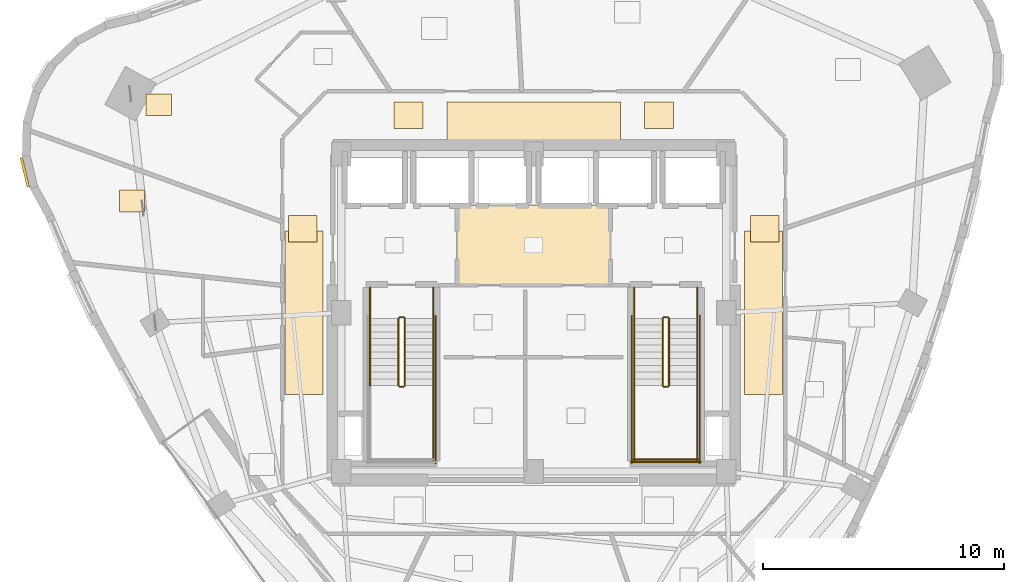
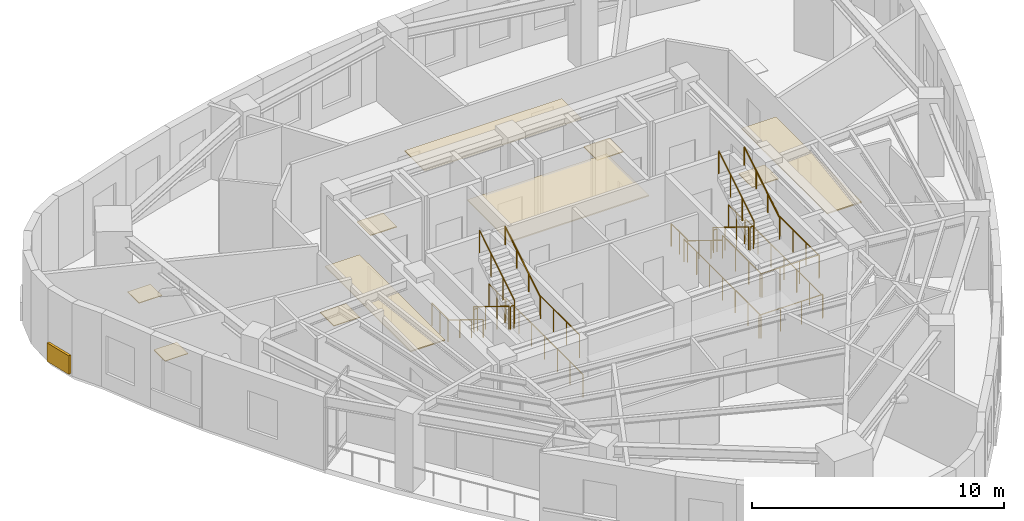
# One storey, part 12 of 13: 24 railings, 11 coverings.
"""IFC4 building model written with IfcOpenShell, lengths in metres."""

from ifc_helpers import new_model, si_unit, direction, frame, origin, origin_2d, place, context, subcontext, project, spatial, rectangle, circle, extrude, material, layer, layer_set, type_object, element, save


model = new_model("IFC4")

# Units and contexts
model_context = context("Model", 3, precision=1e-05, world=origin(), true_north=direction((0.0, 1.0)))
body_context = subcontext(model_context, "Body", "Model", "MODEL_VIEW")
ifc_project = project(units=[si_unit("LENGTHUNIT", "METRE"), si_unit("AREAUNIT", "SQUARE_METRE"), si_unit("VOLUMEUNIT", "CUBIC_METRE"), si_unit("PLANEANGLEUNIT", "RADIAN"), si_unit("MASSUNIT", "GRAM", prefix="KILO")], contexts=[model_context])

# Site, building, storey
site_placement = place(None, origin())
site = spatial("IfcSite", under=ifc_project, at=site_placement, CompositionType="ELEMENT")
building_placement = place(site_placement, origin())
building = spatial("IfcBuilding", under=site, at=building_placement, Name="Ndelora Gate Hotel", CompositionType="ELEMENT")
storey_placement = place(building_placement, frame((0.0, 0.0, 235.949951171875)))
storey = spatial("IfcBuildingStorey", under=building, at=storey_placement, Name="L59", CompositionType="ELEMENT", Elevation=235.949951171875)

# Coverings
ifc_material_1 = material(Name="Perforated Acoustic Gypsum Board", Category="gypsum")
ifc_layer_1 = layer(ifc_material_1, 0.054931640625)
ifc_layer_set_1 = layer_set([ifc_layer_1], Name="Perforated Acoustic Gypsum Board")
covering_type_1 = type_object("IfcCoveringType", Name="COV-CEIL-AC60", PredefinedType="CEILING", material=ifc_layer_set_1)
covering_1_placement = place(storey_placement, frame((0.0, 2.800048828125, 2.72265625), z_axis=(0.0, 0.0, 1.0), x_axis=(1.0, 0.0, 0.0)))
element("IfcCovering", 1, at=covering_1_placement, inside=storey, type_object=covering_type_1, Name="L59 Lift Lobby Acoustic Ceiling", PredefinedType="CEILING", context=body_context, shape_type="SweptSolid", body=[
    extrude(rectangle(XDim=6.39990234375, YDim=3.340087890625, at=origin_2d()), origin(), (0.0, 0.0, 1.0), 0.054931640625),
])
covering_2_placement = place(storey_placement, frame((0.0, 7.9599609375, 2.65234375), z_axis=(0.0, 0.0, 1.0), x_axis=(1.0, 0.0, 0.0)))
element("IfcCovering", 2, at=covering_2_placement, inside=storey, type_object=covering_type_1, Name="L59 Guest Corridor Acoustic Ceiling N", PredefinedType="CEILING", context=body_context, shape_type="SweptSolid", body=[
    extrude(rectangle(XDim=7.199951171875, YDim=1.580078125, at=origin_2d()), origin(), (0.0, 0.0, 1.0), 0.054931640625),
])
for number, where, z_axis, x_axis, name in (
    (3, (-9.550048828125, 0.0, 2.65234375), (0.0, 0.0, 1.0), (1.0, 0.0, 0.0), "L59 Guest Corridor Acoustic Ceiling W"),
    (4, (9.550048828125, 0.0, 2.65234375), (0.0, 0.0, 1.0), (1.0, 0.0, 0.0), "L59 Guest Corridor Acoustic Ceiling E"),
):
    element("IfcCovering", number, at=place(storey_placement, frame(where, z_axis=z_axis, x_axis=x_axis)), inside=storey, type_object=covering_type_1, Name=name, PredefinedType="CEILING", context=body_context, shape_type="SweptSolid", body=[
        extrude(rectangle(XDim=1.580078125, YDim=6.800048828125, at=origin_2d()), origin(), (0.0, 0.0, 1.0), 0.054931640625),
    ])
ifc_material_2 = material(Name="Terracotta Fired Clay Brick Slip Cladding", Category="masonry")
ifc_layer_2 = layer(ifc_material_2, 0.110107421875)
ifc_layer_set_2 = layer_set([ifc_layer_2], Name="Terracotta Fired Clay Brick Slip Cladding")
covering_type_2 = type_object("IfcCoveringType", Name="COV-CLAD-BRK", PredefinedType="CLADDING", material=ifc_layer_set_2)
covering_3_placement = place(storey_placement, frame((-21.147216796875, 5.834228515625, 0.10009765625), z_axis=(0.0, 0.0, 1.0), x_axis=(-0.233445363856, 0.972369920398, 0.0)))
element("IfcCovering", 5, at=covering_3_placement, inside=storey, type_object=covering_type_2, Name="L59 Rounded-Corner Brick Cladding Band 7", PredefinedType="CLADDING", context=body_context, shape_type="SweptSolid", body=[
    extrude(rectangle(XDim=1.258056640625, YDim=0.110107421875, at=origin_2d()), origin(), (0.0, 0.0, 1.0), 0.89990234375),
])
ifc_material_3 = material(Name="Engineered Highland Oak Parquet", Category="wood")
ifc_layer_3 = layer(ifc_material_3, 0.030029296875)
ifc_layer_set_3 = layer_set([ifc_layer_3], Name="Engineered Highland Oak Parquet")
covering_type_3 = type_object("IfcCoveringType", Name="COV-FLR-PARQ", PredefinedType="FLOORING", material=ifc_layer_set_3)
for number, where, z_axis, x_axis, name in (
    (6, (-15.585205078125, 8.64306640625, 0.0), (0.0, 0.0, 1.0), (1.0, 0.0, 0.0), "L59 Altitude King Junior Suite 6204 Oak Parquet Flooring"),
    (7, (-16.696533203125, 4.6455078125, 0.0), (0.0, 0.0, 1.0), (1.0, 0.0, 0.0), "L59 Housekeeping and Linen Room Oak Parquet Flooring"),
):
    element("IfcCovering", number, at=place(storey_placement, frame(where, z_axis=z_axis, x_axis=x_axis)), inside=storey, type_object=covering_type_3, Name=name, PredefinedType="FLOORING", context=body_context, shape_type="SweptSolid", body=[
        extrude(rectangle(XDim=1.050048828125, YDim=0.89990234375, at=origin_2d()), origin(), (0.0, 0.0, 1.0), 0.030029296875),
    ])
ifc_material_4 = material(Name="Polished Highland Stone Terrazzo", Category="masonry")
ifc_layer_4 = layer(ifc_material_4, 0.034912109375)
ifc_layer_set_4 = layer_set([ifc_layer_4], Name="Polished Highland Stone Terrazzo")
covering_type_4 = type_object("IfcCoveringType", Name="COV-FLR-TERZ", PredefinedType="FLOORING", material=ifc_layer_set_4)
for number, where, z_axis, x_axis, name in (
    (8, (-5.199951171875, 8.199951171875, 0.0), (0.0, 0.0, 1.0), (1.0, 0.0, 0.0), "L59 Corridor Threshold Terrazzo Inlay NW"),
    (9, (5.199951171875, 8.199951171875, 0.0), (0.0, 0.0, 1.0), (1.0, 0.0, 0.0), "L59 Corridor Threshold Terrazzo Inlay NE"),
    (10, (-9.60009765625, 3.5, 0.0), (0.0, 0.0, 1.0), (1.0, 0.0, 0.0), "L59 Corridor Threshold Terrazzo Inlay W"),
    (11, (9.60009765625, 3.5, 0.0), (0.0, 0.0, 1.0), (1.0, 0.0, 0.0), "L59 Corridor Threshold Terrazzo Inlay E"),
):
    element("IfcCovering", number, at=place(storey_placement, frame(where, z_axis=z_axis, x_axis=x_axis)), inside=storey, type_object=covering_type_4, Name=name, PredefinedType="FLOORING", context=body_context, shape_type="SweptSolid", body=[
        extrude(rectangle(XDim=1.199951171875, YDim=1.10009765625, at=origin_2d()), origin(), (0.0, 0.0, 1.0), 0.034912109375),
    ])

# Railings
ifc_material_5 = material(Name="Painted Galvanized Steel Balustrade", Category="steel")
ifc_layer_5 = layer(ifc_material_5, 0.06005859375)
ifc_layer_set_5 = layer_set([ifc_layer_5], Name="Painted Galvanized Steel Balustrade")
railing_type_1 = type_object("IfcRailingType", Name="RL-STAIR-GD", PredefinedType="GUARDRAIL", material=ifc_layer_set_5)
railing_1_placement = place(storey_placement, frame((-5.6201171875, -0.22998046875, 0.1728515625)))
element("IfcRailing", 12, at=railing_1_placement, inside=storey, type_object=railing_type_1, Name="L59 ST4 stair guard 1", PredefinedType="GUARDRAIL", context=body_context, shape_type="SweptSolid", body=[
    extrude(circle(Radius=0.02392578125, at=origin_2d()), frame((0.0, 0.0, 1.10595703125), z_axis=(0.0, -0.851089632645, 0.525020415988), x_axis=(1.0, 0.0, 0.0)), (0.0, 0.0, 1.0), 3.2900390625),
    extrude(circle(Radius=0.02099609375, at=origin_2d()), origin(), (0.0, 0.0, 1.0), 1.081787109375),
    extrude(circle(Radius=0.02099609375, at=origin_2d()), frame((0.0, -0.933349609375, 0.57568359375)), (0.0, 0.0, 1.0), 1.081787109375),
    extrude(circle(Radius=0.02099609375, at=origin_2d()), frame((0.0, -1.86669921875, 1.151611328125)), (0.0, 0.0, 1.0), 1.081787109375),
    extrude(circle(Radius=0.02099609375, at=origin_2d()), frame((0.0, -2.800048828125, 1.727294921875)), (0.0, 0.0, 1.0), 1.081787109375),
])
railing_2_placement = place(storey_placement, frame((-5.570068359375, -3.080078125, 1.900146484375)))
element("IfcRailing", 13, at=railing_2_placement, inside=storey, type_object=railing_type_1, Name="L59 ST4 stair guard 2", PredefinedType="GUARDRAIL", context=body_context, shape_type="SweptSolid", body=[
    extrude(circle(Radius=0.02392578125, at=origin_2d()), frame((0.0, 0.0, 1.10595703125), z_axis=(1.0, 0.0, 0.0), x_axis=(0.0, 1.0, 0.0)), (0.0, 0.0, 1.0), 0.16015625),
    extrude(circle(Radius=0.02099609375, at=origin_2d()), origin(), (0.0, 0.0, 1.0), 1.081787109375),
    extrude(circle(Radius=0.02099609375, at=origin_2d()), frame((0.16015625, 0.0, 0.0)), (0.0, 0.0, 1.0), 1.081787109375),
])
railing_3_placement = place(storey_placement, frame((-4.179931640625, -3.030029296875, 1.900146484375)))
element("IfcRailing", 14, at=railing_3_placement, inside=storey, type_object=railing_type_1, Name="L59 ST4 stair guard 4", PredefinedType="GUARDRAIL", context=body_context, shape_type="SweptSolid", body=[
    extrude(circle(Radius=0.02392578125, at=origin_2d()), frame((0.0, 0.0, 1.10595703125), z_axis=(0.0, -1.0, 0.0), x_axis=(1.0, 0.0, 0.0)), (0.0, 0.0, 1.0), 3.119873046875),
    extrude(circle(Radius=0.02099609375, at=origin_2d()), origin(), (0.0, 0.0, 1.0), 1.081787109375),
    extrude(circle(Radius=0.02099609375, at=origin_2d()), frame((0.0, -1.0400390625, 0.0)), (0.0, 0.0, 1.0), 1.081787109375),
    extrude(circle(Radius=0.02099609375, at=origin_2d()), frame((0.0, -2.079833984375, 0.0)), (0.0, 0.0, 1.0), 1.081787109375),
    extrude(circle(Radius=0.02099609375, at=origin_2d()), frame((0.0, -3.119873046875, 0.0)), (0.0, 0.0, 1.0), 1.081787109375),
])
railing_4_placement = place(storey_placement, frame((-5.360107421875, -3.030029296875, 2.07275390625)))
element("IfcRailing", 15, at=railing_4_placement, inside=storey, type_object=railing_type_1, Name="L59 ST4 stair guard 6", PredefinedType="GUARDRAIL", context=body_context, shape_type="SweptSolid", body=[
    extrude(circle(Radius=0.02392578125, at=origin_2d()), frame((0.0, 0.0, 1.10595703125), z_axis=(0.0, 0.851089632645, 0.525020415988), x_axis=(-1.0, 0.0, 0.0)), (0.0, 0.0, 1.0), 3.2900390625),
    extrude(circle(Radius=0.02099609375, at=origin_2d()), origin(), (0.0, 0.0, 1.0), 1.081787109375),
    extrude(circle(Radius=0.02099609375, at=origin_2d()), frame((0.0, 0.933349609375, 0.57568359375)), (0.0, 0.0, 1.0), 1.081787109375),
    extrude(circle(Radius=0.02099609375, at=origin_2d()), frame((0.0, 1.86669921875, 1.151611328125)), (0.0, 0.0, 1.0), 1.081787109375),
    extrude(circle(Radius=0.02099609375, at=origin_2d()), frame((0.0, 2.800048828125, 1.727294921875)), (0.0, 0.0, 1.0), 1.081787109375),
])
railing_5_placement = place(storey_placement, frame((-5.570068359375, -0.179931640625, 0.0)))
element("IfcRailing", 16, at=railing_5_placement, inside=storey, type_object=railing_type_1, Name="L59 ST4 stair guard 7", PredefinedType="GUARDRAIL", context=body_context, shape_type="SweptSolid", body=[
    extrude(circle(Radius=0.02392578125, at=origin_2d()), frame((0.0, 0.0, 1.10595703125), z_axis=(1.0, 0.0, 0.0), x_axis=(0.0, 1.0, 0.0)), (0.0, 0.0, 1.0), 0.16015625),
    extrude(circle(Radius=0.02099609375, at=origin_2d()), origin(), (0.0, 0.0, 1.0), 1.081787109375),
    extrude(circle(Radius=0.02099609375, at=origin_2d()), frame((0.16015625, 0.0, 0.0)), (0.0, 0.0, 1.0), 1.081787109375),
])
for number, where, name in (
    (17, (-6.800048828125, 1.050048828125, 0.0), "L59 ST4 stair guard 8"),
    (18, (-4.179931640625, 1.050048828125, 0.0), "L59 ST4 stair guard 9"),
):
    element("IfcRailing", number, at=place(storey_placement, frame(where)), inside=storey, type_object=railing_type_1, Name=name, PredefinedType="GUARDRAIL", context=body_context, shape_type="SweptSolid", body=[
        extrude(circle(Radius=0.02392578125, at=origin_2d()), frame((0.0, 0.0, 1.10595703125), z_axis=(0.0, -1.0, 0.0), x_axis=(1.0, 0.0, 0.0)), (0.0, 0.0, 1.0), 1.280029296875),
        extrude(circle(Radius=0.02099609375, at=origin_2d()), origin(), (0.0, 0.0, 1.0), 1.081787109375),
        extrude(circle(Radius=0.02099609375, at=origin_2d()), frame((0.0, -0.64013671875, 0.0)), (0.0, 0.0, 1.0), 1.081787109375),
        extrude(circle(Radius=0.02099609375, at=origin_2d()), frame((0.0, -1.280029296875, 0.0)), (0.0, 0.0, 1.0), 1.081787109375),
    ])
railing_6_placement = place(storey_placement, frame((-4.080078125, -0.1298828125, 0.0)))
element("IfcRailing", 19, at=railing_6_placement, inside=storey, type_object=railing_type_1, Name="L59 ST4 stair guard 11", PredefinedType="GUARDRAIL", context=body_context, shape_type="SweptSolid", body=[
    extrude(circle(Radius=0.02392578125, at=origin_2d()), frame((0.0, 0.0, 1.10595703125), z_axis=(0.0, -1.0, 0.0), x_axis=(1.0, 0.0, 0.0)), (0.0, 0.0, 1.0), 6.1201171875),
    extrude(circle(Radius=0.02099609375, at=origin_2d()), origin(), (0.0, 0.0, 1.0), 1.081787109375),
    extrude(circle(Radius=0.02099609375, at=origin_2d()), frame((0.0, -1.02001953125, 0.0)), (0.0, 0.0, 1.0), 1.081787109375),
    extrude(circle(Radius=0.02099609375, at=origin_2d()), frame((0.0, -2.0400390625, 0.0)), (0.0, 0.0, 1.0), 1.081787109375),
    extrude(circle(Radius=0.02099609375, at=origin_2d()), frame((0.0, -3.06005859375, 0.0)), (0.0, 0.0, 1.0), 1.081787109375),
    extrude(circle(Radius=0.02099609375, at=origin_2d()), frame((0.0, -4.080078125, 0.0)), (0.0, 0.0, 1.0), 1.081787109375),
    extrude(circle(Radius=0.02099609375, at=origin_2d()), frame((0.0, -5.10009765625, 0.0)), (0.0, 0.0, 1.0), 1.081787109375),
    extrude(circle(Radius=0.02099609375, at=origin_2d()), frame((0.0, -6.1201171875, 0.0)), (0.0, 0.0, 1.0), 1.081787109375),
])
railing_7_placement = place(storey_placement, frame((5.360107421875, -0.22998046875, 0.1728515625)))
element("IfcRailing", 20, at=railing_7_placement, inside=storey, type_object=railing_type_1, Name="L59 ST5 stair guard 1", PredefinedType="GUARDRAIL", context=body_context, shape_type="SweptSolid", body=[
    extrude(circle(Radius=0.02392578125, at=origin_2d()), frame((0.0, 0.0, 1.10595703125), z_axis=(0.0, -0.851089632645, 0.525020415988), x_axis=(1.0, 0.0, 0.0)), (0.0, 0.0, 1.0), 3.2900390625),
    extrude(circle(Radius=0.02099609375, at=origin_2d()), origin(), (0.0, 0.0, 1.0), 1.081787109375),
    extrude(circle(Radius=0.02099609375, at=origin_2d()), frame((0.0, -0.933349609375, 0.57568359375)), (0.0, 0.0, 1.0), 1.081787109375),
    extrude(circle(Radius=0.02099609375, at=origin_2d()), frame((0.0, -1.86669921875, 1.151611328125)), (0.0, 0.0, 1.0), 1.081787109375),
    extrude(circle(Radius=0.02099609375, at=origin_2d()), frame((0.0, -2.800048828125, 1.727294921875)), (0.0, 0.0, 1.0), 1.081787109375),
])
railing_8_placement = place(storey_placement, frame((5.409912109375, -3.080078125, 1.900146484375)))
element("IfcRailing", 21, at=railing_8_placement, inside=storey, type_object=railing_type_1, Name="L59 ST5 stair guard 2", PredefinedType="GUARDRAIL", context=body_context, shape_type="SweptSolid", body=[
    extrude(circle(Radius=0.02392578125, at=origin_2d()), frame((0.0, 0.0, 1.10595703125), z_axis=(1.0, 0.0, 0.0), x_axis=(0.0, 1.0, 0.0)), (0.0, 0.0, 1.0), 0.16015625),
    extrude(circle(Radius=0.02099609375, at=origin_2d()), origin(), (0.0, 0.0, 1.0), 1.081787109375),
    extrude(circle(Radius=0.02099609375, at=origin_2d()), frame((0.16015625, 0.0, 0.0)), (0.0, 0.0, 1.0), 1.081787109375),
])
for number, where, name in (
    (22, (4.179931640625, -3.030029296875, 1.900146484375), "L59 ST5 stair guard 3"),
    (23, (6.800048828125, -3.030029296875, 1.900146484375), "L59 ST5 stair guard 4"),
):
    element("IfcRailing", number, at=place(storey_placement, frame(where)), inside=storey, type_object=railing_type_1, Name=name, PredefinedType="GUARDRAIL", context=body_context, shape_type="SweptSolid", body=[
        extrude(circle(Radius=0.02392578125, at=origin_2d()), frame((0.0, 0.0, 1.10595703125), z_axis=(0.0, -1.0, 0.0), x_axis=(1.0, 0.0, 0.0)), (0.0, 0.0, 1.0), 3.119873046875),
        extrude(circle(Radius=0.02099609375, at=origin_2d()), origin(), (0.0, 0.0, 1.0), 1.081787109375),
        extrude(circle(Radius=0.02099609375, at=origin_2d()), frame((0.0, -1.0400390625, 0.0)), (0.0, 0.0, 1.0), 1.081787109375),
        extrude(circle(Radius=0.02099609375, at=origin_2d()), frame((0.0, -2.079833984375, 0.0)), (0.0, 0.0, 1.0), 1.081787109375),
        extrude(circle(Radius=0.02099609375, at=origin_2d()), frame((0.0, -3.119873046875, 0.0)), (0.0, 0.0, 1.0), 1.081787109375),
    ])
railing_9_placement = place(storey_placement, frame((4.1298828125, -6.10009765625, 1.900146484375)))
element("IfcRailing", 24, at=railing_9_placement, inside=storey, type_object=railing_type_1, Name="L59 ST5 stair guard 5", PredefinedType="GUARDRAIL", context=body_context, shape_type="SweptSolid", body=[
    extrude(circle(Radius=0.02392578125, at=origin_2d()), frame((0.0, 0.0, 1.10595703125), z_axis=(1.0, 0.0, 0.0), x_axis=(0.0, 1.0, 0.0)), (0.0, 0.0, 1.0), 2.72021484375),
    extrude(circle(Radius=0.02099609375, at=origin_2d()), origin(), (0.0, 0.0, 1.0), 1.081787109375),
    extrude(circle(Radius=0.02099609375, at=origin_2d()), frame((0.90673828125, 0.0, 0.0)), (0.0, 0.0, 1.0), 1.081787109375),
    extrude(circle(Radius=0.02099609375, at=origin_2d()), frame((1.8134765625, 0.0, 0.0)), (0.0, 0.0, 1.0), 1.081787109375),
    extrude(circle(Radius=0.02099609375, at=origin_2d()), frame((2.72021484375, 0.0, 0.0)), (0.0, 0.0, 1.0), 1.081787109375),
])
railing_10_placement = place(storey_placement, frame((5.6201171875, -3.030029296875, 2.07275390625)))
element("IfcRailing", 25, at=railing_10_placement, inside=storey, type_object=railing_type_1, Name="L59 ST5 stair guard 6", PredefinedType="GUARDRAIL", context=body_context, shape_type="SweptSolid", body=[
    extrude(circle(Radius=0.02392578125, at=origin_2d()), frame((0.0, 0.0, 1.10595703125), z_axis=(0.0, 0.851089632645, 0.525020415988), x_axis=(-1.0, 0.0, 0.0)), (0.0, 0.0, 1.0), 3.2900390625),
    extrude(circle(Radius=0.02099609375, at=origin_2d()), origin(), (0.0, 0.0, 1.0), 1.081787109375),
    extrude(circle(Radius=0.02099609375, at=origin_2d()), frame((0.0, 0.933349609375, 0.57568359375)), (0.0, 0.0, 1.0), 1.081787109375),
    extrude(circle(Radius=0.02099609375, at=origin_2d()), frame((0.0, 1.86669921875, 1.151611328125)), (0.0, 0.0, 1.0), 1.081787109375),
    extrude(circle(Radius=0.02099609375, at=origin_2d()), frame((0.0, 2.800048828125, 1.727294921875)), (0.0, 0.0, 1.0), 1.081787109375),
])
railing_11_placement = place(storey_placement, frame((5.409912109375, -0.179931640625, 0.0)))
element("IfcRailing", 26, at=railing_11_placement, inside=storey, type_object=railing_type_1, Name="L59 ST5 stair guard 7", PredefinedType="GUARDRAIL", context=body_context, shape_type="SweptSolid", body=[
    extrude(circle(Radius=0.02392578125, at=origin_2d()), frame((0.0, 0.0, 1.10595703125), z_axis=(1.0, 0.0, 0.0), x_axis=(0.0, 1.0, 0.0)), (0.0, 0.0, 1.0), 0.16015625),
    extrude(circle(Radius=0.02099609375, at=origin_2d()), origin(), (0.0, 0.0, 1.0), 1.081787109375),
    extrude(circle(Radius=0.02099609375, at=origin_2d()), frame((0.16015625, 0.0, 0.0)), (0.0, 0.0, 1.0), 1.081787109375),
])
for number, where, name in (
    (27, (4.179931640625, 1.050048828125, 0.0), "L59 ST5 stair guard 8"),
    (28, (6.800048828125, 1.050048828125, 0.0), "L59 ST5 stair guard 9"),
):
    element("IfcRailing", number, at=place(storey_placement, frame(where)), inside=storey, type_object=railing_type_1, Name=name, PredefinedType="GUARDRAIL", context=body_context, shape_type="SweptSolid", body=[
        extrude(circle(Radius=0.02392578125, at=origin_2d()), frame((0.0, 0.0, 1.10595703125), z_axis=(0.0, -1.0, 0.0), x_axis=(1.0, 0.0, 0.0)), (0.0, 0.0, 1.0), 1.280029296875),
        extrude(circle(Radius=0.02099609375, at=origin_2d()), origin(), (0.0, 0.0, 1.0), 1.081787109375),
        extrude(circle(Radius=0.02099609375, at=origin_2d()), frame((0.0, -0.64013671875, 0.0)), (0.0, 0.0, 1.0), 1.081787109375),
        extrude(circle(Radius=0.02099609375, at=origin_2d()), frame((0.0, -1.280029296875, 0.0)), (0.0, 0.0, 1.0), 1.081787109375),
    ])
for number, where, name in (
    (29, (4.080078125, -0.1298828125, 0.0), "L59 ST5 stair guard 10"),
    (30, (6.89990234375, -0.1298828125, 0.0), "L59 ST5 stair guard 11"),
):
    element("IfcRailing", number, at=place(storey_placement, frame(where)), inside=storey, type_object=railing_type_1, Name=name, PredefinedType="GUARDRAIL", context=body_context, shape_type="SweptSolid", body=[
        extrude(circle(Radius=0.02392578125, at=origin_2d()), frame((0.0, 0.0, 1.10595703125), z_axis=(0.0, -1.0, 0.0), x_axis=(1.0, 0.0, 0.0)), (0.0, 0.0, 1.0), 6.1201171875),
        extrude(circle(Radius=0.02099609375, at=origin_2d()), origin(), (0.0, 0.0, 1.0), 1.081787109375),
        extrude(circle(Radius=0.02099609375, at=origin_2d()), frame((0.0, -1.02001953125, 0.0)), (0.0, 0.0, 1.0), 1.081787109375),
        extrude(circle(Radius=0.02099609375, at=origin_2d()), frame((0.0, -2.0400390625, 0.0)), (0.0, 0.0, 1.0), 1.081787109375),
        extrude(circle(Radius=0.02099609375, at=origin_2d()), frame((0.0, -3.06005859375, 0.0)), (0.0, 0.0, 1.0), 1.081787109375),
        extrude(circle(Radius=0.02099609375, at=origin_2d()), frame((0.0, -4.080078125, 0.0)), (0.0, 0.0, 1.0), 1.081787109375),
        extrude(circle(Radius=0.02099609375, at=origin_2d()), frame((0.0, -5.10009765625, 0.0)), (0.0, 0.0, 1.0), 1.081787109375),
        extrude(circle(Radius=0.02099609375, at=origin_2d()), frame((0.0, -6.1201171875, 0.0)), (0.0, 0.0, 1.0), 1.081787109375),
    ])
railing_12_placement = place(storey_placement, frame((4.030029296875, -6.199951171875, 0.0)))
element("IfcRailing", 31, at=railing_12_placement, inside=storey, type_object=railing_type_1, Name="L59 ST5 stair guard 12", PredefinedType="GUARDRAIL", context=body_context, shape_type="SweptSolid", body=[
    extrude(circle(Radius=0.02392578125, at=origin_2d()), frame((0.0, 0.0, 1.10595703125), z_axis=(1.0, 0.0, 0.0), x_axis=(0.0, 1.0, 0.0)), (0.0, 0.0, 1.0), 2.919921875),
    extrude(circle(Radius=0.02099609375, at=origin_2d()), origin(), (0.0, 0.0, 1.0), 1.081787109375),
    extrude(circle(Radius=0.02099609375, at=origin_2d()), frame((0.973388671875, 0.0, 0.0)), (0.0, 0.0, 1.0), 1.081787109375),
    extrude(circle(Radius=0.02099609375, at=origin_2d()), frame((1.946533203125, 0.0, 0.0)), (0.0, 0.0, 1.0), 1.081787109375),
    extrude(circle(Radius=0.02099609375, at=origin_2d()), frame((2.919921875, 0.0, 0.0)), (0.0, 0.0, 1.0), 1.081787109375),
])
ifc_material_6 = material(Name="Brushed Stainless Steel 316", Category="steel")
ifc_layer_6 = layer(ifc_material_6, 0.050048828125)
ifc_layer_set_6 = layer_set([ifc_layer_6], Name="Brushed Stainless Steel 316")
railing_type_2 = type_object("IfcRailingType", Name="RL-STAIR-HR", PredefinedType="HANDRAIL", material=ifc_layer_set_6)
railing_13_placement = place(storey_placement, frame((-6.800048828125, -0.22998046875, 0.1728515625)))
element("IfcRailing", 32, at=railing_13_placement, inside=storey, type_object=railing_type_2, Name="L59 ST4 stair handrail 1", PredefinedType="HANDRAIL", context=body_context, shape_type="SweptSolid", body=[
    extrude(circle(Radius=0.02392578125, at=origin_2d()), frame((0.0, 0.0, 0.8759765625), z_axis=(0.0, -0.851089632645, 0.525020415988), x_axis=(1.0, 0.0, 0.0)), (0.0, 0.0, 1.0), 3.2900390625),
    extrude(circle(Radius=0.02099609375, at=origin_2d()), origin(), (0.0, 0.0, 1.0), 0.851806640625),
    extrude(circle(Radius=0.02099609375, at=origin_2d()), frame((0.0, -0.933349609375, 0.57568359375)), (0.0, 0.0, 1.0), 0.851806640625),
    extrude(circle(Radius=0.02099609375, at=origin_2d()), frame((0.0, -1.86669921875, 1.151611328125)), (0.0, 0.0, 1.0), 0.851806640625),
    extrude(circle(Radius=0.02099609375, at=origin_2d()), frame((0.0, -2.800048828125, 1.727294921875)), (0.0, 0.0, 1.0), 0.851806640625),
])
railing_14_placement = place(storey_placement, frame((-4.179931640625, -3.030029296875, 2.07275390625)))
element("IfcRailing", 33, at=railing_14_placement, inside=storey, type_object=railing_type_2, Name="L59 ST4 stair handrail 2", PredefinedType="HANDRAIL", context=body_context, shape_type="SweptSolid", body=[
    extrude(circle(Radius=0.02392578125, at=origin_2d()), frame((0.0, 0.0, 0.8759765625), z_axis=(0.0, 0.851089632645, 0.525020415988), x_axis=(-1.0, 0.0, 0.0)), (0.0, 0.0, 1.0), 3.2900390625),
    extrude(circle(Radius=0.02099609375, at=origin_2d()), origin(), (0.0, 0.0, 1.0), 0.851806640625),
    extrude(circle(Radius=0.02099609375, at=origin_2d()), frame((0.0, 0.933349609375, 0.57568359375)), (0.0, 0.0, 1.0), 0.851806640625),
    extrude(circle(Radius=0.02099609375, at=origin_2d()), frame((0.0, 1.86669921875, 1.151611328125)), (0.0, 0.0, 1.0), 0.851806640625),
    extrude(circle(Radius=0.02099609375, at=origin_2d()), frame((0.0, 2.800048828125, 1.727294921875)), (0.0, 0.0, 1.0), 0.851806640625),
])
railing_15_placement = place(storey_placement, frame((4.179931640625, -0.22998046875, 0.1728515625)))
element("IfcRailing", 34, at=railing_15_placement, inside=storey, type_object=railing_type_2, Name="L59 ST5 stair handrail 1", PredefinedType="HANDRAIL", context=body_context, shape_type="SweptSolid", body=[
    extrude(circle(Radius=0.02392578125, at=origin_2d()), frame((0.0, 0.0, 0.8759765625), z_axis=(0.0, -0.851089632645, 0.525020415988), x_axis=(1.0, 0.0, 0.0)), (0.0, 0.0, 1.0), 3.2900390625),
    extrude(circle(Radius=0.02099609375, at=origin_2d()), origin(), (0.0, 0.0, 1.0), 0.851806640625),
    extrude(circle(Radius=0.02099609375, at=origin_2d()), frame((0.0, -0.933349609375, 0.57568359375)), (0.0, 0.0, 1.0), 0.851806640625),
    extrude(circle(Radius=0.02099609375, at=origin_2d()), frame((0.0, -1.86669921875, 1.151611328125)), (0.0, 0.0, 1.0), 0.851806640625),
    extrude(circle(Radius=0.02099609375, at=origin_2d()), frame((0.0, -2.800048828125, 1.727294921875)), (0.0, 0.0, 1.0), 0.851806640625),
])
railing_16_placement = place(storey_placement, frame((6.800048828125, -3.030029296875, 2.07275390625)))
element("IfcRailing", 35, at=railing_16_placement, inside=storey, type_object=railing_type_2, Name="L59 ST5 stair handrail 2", PredefinedType="HANDRAIL", context=body_context, shape_type="SweptSolid", body=[
    extrude(circle(Radius=0.02392578125, at=origin_2d()), frame((0.0, 0.0, 0.8759765625), z_axis=(0.0, 0.851089632645, 0.525020415988), x_axis=(-1.0, 0.0, 0.0)), (0.0, 0.0, 1.0), 3.2900390625),
    extrude(circle(Radius=0.02099609375, at=origin_2d()), origin(), (0.0, 0.0, 1.0), 0.851806640625),
    extrude(circle(Radius=0.02099609375, at=origin_2d()), frame((0.0, 0.933349609375, 0.57568359375)), (0.0, 0.0, 1.0), 0.851806640625),
    extrude(circle(Radius=0.02099609375, at=origin_2d()), frame((0.0, 1.86669921875, 1.151611328125)), (0.0, 0.0, 1.0), 0.851806640625),
    extrude(circle(Radius=0.02099609375, at=origin_2d()), frame((0.0, 2.800048828125, 1.727294921875)), (0.0, 0.0, 1.0), 0.851806640625),
])

save(model, "model.ifc")
